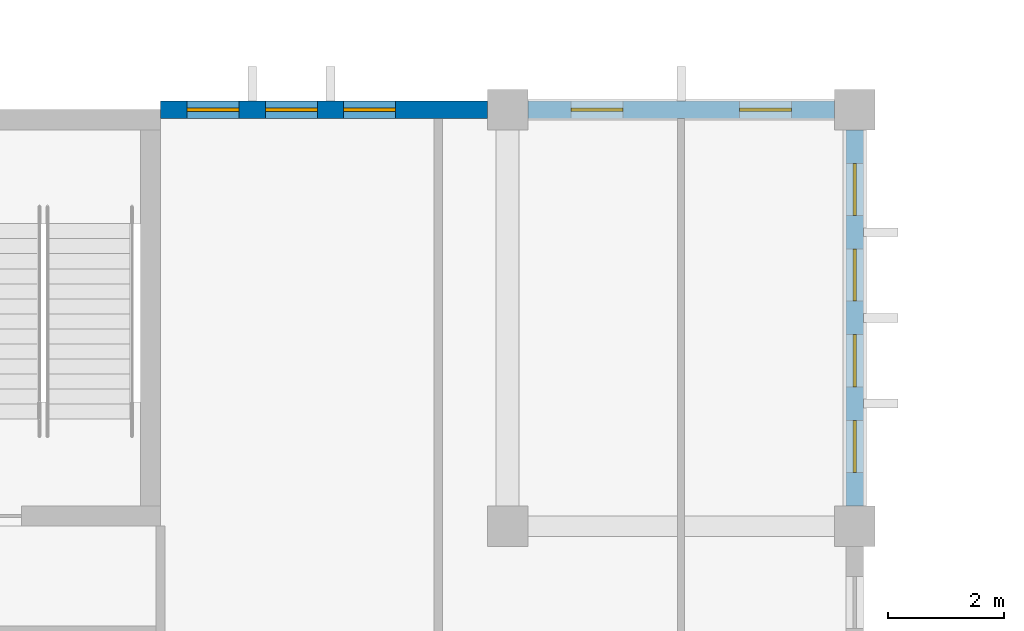
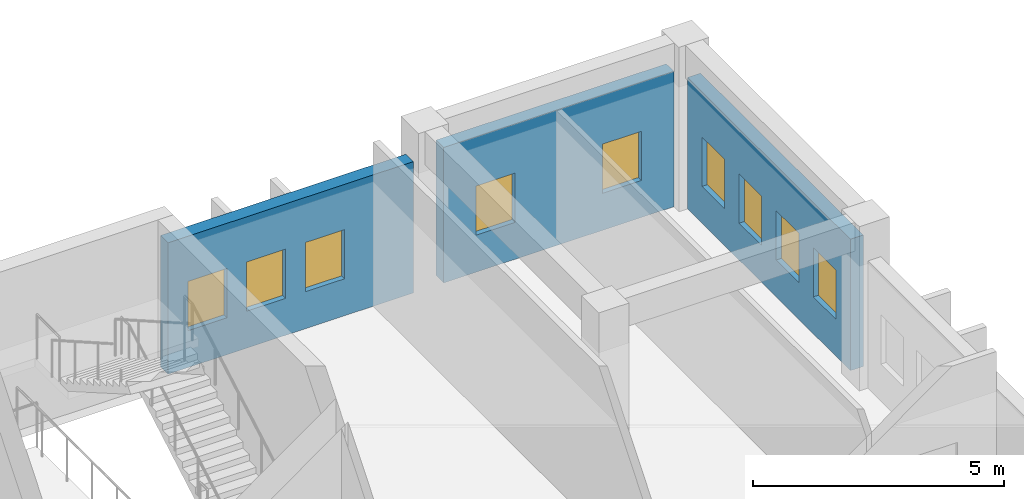
# One storey, part 67 of 92: 9 windows, 3 walls, 9 openings.
"""IFC4 building model written with IfcOpenShell, lengths in metres."""

from ifc_helpers import new_model, si_unit, direction, frame, frame_2d, origin, place, context, subcontext, project, spatial, rectangle, extrude, material, layer, layer_set, type_object, element, fill, save


model = new_model("IFC4")

# Units and contexts
model_context = context("Model", 3, precision=1e-05, world=origin(), true_north=direction((0.0, 1.0)))
body_context = subcontext(model_context, "Body", "Model", "MODEL_VIEW")
ifc_project = project(units=[si_unit("LENGTHUNIT", "METRE"), si_unit("AREAUNIT", "SQUARE_METRE"), si_unit("VOLUMEUNIT", "CUBIC_METRE"), si_unit("PLANEANGLEUNIT", "RADIAN"), si_unit("MASSUNIT", "GRAM", prefix="KILO")], contexts=[model_context])

# Site, building, storey
site_placement = place(None, origin())
site = spatial("IfcSite", under=ifc_project, at=site_placement, CompositionType="ELEMENT")
building_placement = place(site_placement, origin())
building = spatial("IfcBuilding", under=site, at=building_placement, Name="Laocheng Heights Fire and Rescue Headquarters", CompositionType="ELEMENT")
storey_placement = place(building_placement, frame((0.0, 0.0, 12.60009765625)))
storey = spatial("IfcBuildingStorey", under=building, at=storey_placement, Name="L03", CompositionType="ELEMENT", Elevation=12.60009765625)

# Wall, openings, windows
ifc_material_1 = material(Name="Precast concrete C40/50", Category="concrete")
ifc_layer = layer(ifc_material_1, 0.300048828125)
ifc_layer_set = layer_set([ifc_layer], Name="Precast concrete C40/50")
wall_type = type_object("IfcWallType", Name="PRECAST WALL PANEL CREW 300", PredefinedType="SOLIDWALL", material=ifc_layer_set)
wall_1_placement = place(storey_placement, frame((108.0, 50.75, 0.0), z_axis=(0.0, 0.0, 1.0), x_axis=(0.0, 1.0, 0.0)))
wall_1 = element("IfcWall", 1, at=wall_1_placement, inside=storey, type_object=wall_type, Name="PRECAST WALL PANEL CREW CREW EAST L03", PredefinedType="SOLIDWALL", context=body_context, shape_type="SweptSolid", body=[
    extrude(rectangle(XDim=6.5, YDim=0.300048828125, at=frame_2d((3.25, 0.0))), origin(), (0.0, 0.0, 1.0), 3.199951171875),
])
opening_1_placement = place(wall_1_placement, frame((0.580078125, 0.0, 0.89990234375)))
opening_1 = element("IfcOpeningElement", 2, at=opening_1_placement, cuts=wall_1, Name="Opening N2-W", PredefinedType="OPENING", context=body_context, shape_type="SweptSolid", body=[
    extrude(rectangle(XDim=0.89990234375, YDim=1.199951171875, at=frame_2d((0.449951171875, 0.60009765625))), frame((0.0, 0.159912109375, 0.0), z_axis=(0.0, -1.0, 0.0), x_axis=(1.0, 0.0, 0.0)), (0.0, 0.0, 1.0), 0.320068359375),
])
opening_2_placement = place(wall_1_placement, frame((2.06005859375, 0.0, 0.89990234375)))
opening_2 = element("IfcOpeningElement", 3, at=opening_2_placement, cuts=wall_1, Name="Opening N2-W", PredefinedType="OPENING", context=body_context, shape_type="SweptSolid", body=[
    extrude(rectangle(XDim=0.89990234375, YDim=1.199951171875, at=frame_2d((0.449951171875, 0.60009765625))), frame((0.0, 0.159912109375, 0.0), z_axis=(0.0, -1.0, 0.0), x_axis=(1.0, 0.0, 0.0)), (0.0, 0.0, 1.0), 0.320068359375),
])
opening_3_placement = place(wall_1_placement, frame((3.5400390625, 0.0, 0.89990234375)))
opening_3 = element("IfcOpeningElement", 4, at=opening_3_placement, cuts=wall_1, Name="Opening N2-W", PredefinedType="OPENING", context=body_context, shape_type="SweptSolid", body=[
    extrude(rectangle(XDim=0.89990234375, YDim=1.199951171875, at=frame_2d((0.449951171875, 0.60009765625))), frame((0.0, 0.159912109375, 0.0), z_axis=(0.0, -1.0, 0.0), x_axis=(1.0, 0.0, 0.0)), (0.0, 0.0, 1.0), 0.320068359375),
])
opening_4_placement = place(wall_1_placement, frame((5.02001953125, 0.0, 0.89990234375)))
opening_4 = element("IfcOpeningElement", 5, at=opening_4_placement, cuts=wall_1, Name="Opening N2-W", PredefinedType="OPENING", context=body_context, shape_type="SweptSolid", body=[
    extrude(rectangle(XDim=0.89990234375, YDim=1.199951171875, at=frame_2d((0.449951171875, 0.60009765625))), frame((0.0, 0.159912109375, 0.0), z_axis=(0.0, -1.0, 0.0), x_axis=(1.0, 0.0, 0.0)), (0.0, 0.0, 1.0), 0.320068359375),
])
ifc_material_2 = material(Name="Low-e double glazing in aluminium frame", Category="aluminium")
window_type = type_object("IfcWindowType", Name="WINDOW 900 x 1200 CREW DORMITORY", PartitioningType="SINGLE_PANEL", PredefinedType="WINDOW", material=ifc_material_2)
window_1_placement = place(opening_1_placement, origin())
window_1 = element("IfcWindow", 6, at=window_1_placement, inside=storey, type_object=window_type, Name="CREW DORMITORY CREW EAST L03", OverallHeight=1.199951171875, OverallWidth=0.89990234375, PartitioningType="SINGLE_PANEL", PredefinedType="WINDOW", context=body_context, shape_type="SweptSolid", body=[
    extrude(rectangle(XDim=0.89990234375, YDim=1.199951171875, at=frame_2d((0.449951171875, 0.60009765625))), frame((0.0, 0.030029296875, 0.0), z_axis=(0.0, -1.0, 0.0), x_axis=(1.0, 0.0, 0.0)), (0.0, 0.0, 1.0), 0.06005859375),
])
fill(opening_1, window_1)
window_2_placement = place(opening_2_placement, origin())
window_2 = element("IfcWindow", 7, at=window_2_placement, inside=storey, type_object=window_type, Name="CREW DORMITORY CREW EAST L03", OverallHeight=1.199951171875, OverallWidth=0.89990234375, PartitioningType="SINGLE_PANEL", PredefinedType="WINDOW", context=body_context, shape_type="SweptSolid", body=[
    extrude(rectangle(XDim=0.89990234375, YDim=1.199951171875, at=frame_2d((0.449951171875, 0.60009765625))), frame((0.0, 0.030029296875, 0.0), z_axis=(0.0, -1.0, 0.0), x_axis=(1.0, 0.0, 0.0)), (0.0, 0.0, 1.0), 0.06005859375),
])
fill(opening_2, window_2)
window_3_placement = place(opening_3_placement, origin())
window_3 = element("IfcWindow", 8, at=window_3_placement, inside=storey, type_object=window_type, Name="CREW DORMITORY CREW EAST L03", OverallHeight=1.199951171875, OverallWidth=0.89990234375, PartitioningType="SINGLE_PANEL", PredefinedType="WINDOW", context=body_context, shape_type="SweptSolid", body=[
    extrude(rectangle(XDim=0.89990234375, YDim=1.199951171875, at=frame_2d((0.449951171875, 0.60009765625))), frame((0.0, 0.030029296875, 0.0), z_axis=(0.0, -1.0, 0.0), x_axis=(1.0, 0.0, 0.0)), (0.0, 0.0, 1.0), 0.06005859375),
])
fill(opening_3, window_3)
window_4_placement = place(opening_4_placement, origin())
window_4 = element("IfcWindow", 9, at=window_4_placement, inside=storey, type_object=window_type, Name="CREW DORMITORY CREW EAST L03", OverallHeight=1.199951171875, OverallWidth=0.89990234375, PartitioningType="SINGLE_PANEL", PredefinedType="WINDOW", context=body_context, shape_type="SweptSolid", body=[
    extrude(rectangle(XDim=0.89990234375, YDim=1.199951171875, at=frame_2d((0.449951171875, 0.60009765625))), frame((0.0, 0.030029296875, 0.0), z_axis=(0.0, -1.0, 0.0), x_axis=(1.0, 0.0, 0.0)), (0.0, 0.0, 1.0), 0.06005859375),
])
fill(opening_4, window_4)

wall_2_placement = place(storey_placement, frame((96.0, 57.60009765625, 0.0), z_axis=(0.0, 0.0, 1.0), x_axis=(1.0, 0.0, 0.0)))
wall_2 = element("IfcWall", 10, at=wall_2_placement, inside=storey, type_object=wall_type, Name="PRECAST WALL PANEL CREW CREW NORTH L03", PredefinedType="SOLIDWALL", context=body_context, shape_type="SweptSolid", body=[
    extrude(rectangle(XDim=5.64990234375, YDim=0.300048828125, at=frame_2d((2.824951171875, 0.0))), origin(), (0.0, 0.0, 1.0), 3.199951171875),
])
opening_5_placement = place(wall_2_placement, frame((0.455078125, 0.0, 0.89990234375)))
opening_5 = element("IfcOpeningElement", 11, at=opening_5_placement, cuts=wall_2, Name="Opening N2-W", PredefinedType="OPENING", context=body_context, shape_type="SweptSolid", body=[
    extrude(rectangle(XDim=0.89990234375, YDim=1.199951171875, at=frame_2d((0.449951171875, 0.60009765625))), frame((0.0, 0.159912109375, 0.0), z_axis=(0.0, -1.0, 0.0), x_axis=(1.0, 0.0, 0.0)), (0.0, 0.0, 1.0), 0.320068359375),
])
opening_6_placement = place(wall_2_placement, frame((1.81005859375, 0.0, 0.89990234375)))
opening_6 = element("IfcOpeningElement", 12, at=opening_6_placement, cuts=wall_2, Name="Opening N2-W", PredefinedType="OPENING", context=body_context, shape_type="SweptSolid", body=[
    extrude(rectangle(XDim=0.89990234375, YDim=1.199951171875, at=frame_2d((0.449951171875, 0.60009765625))), frame((0.0, 0.159912109375, 0.0), z_axis=(0.0, -1.0, 0.0), x_axis=(1.0, 0.0, 0.0)), (0.0, 0.0, 1.0), 0.320068359375),
])
opening_7_placement = place(wall_2_placement, frame((3.1650390625, 0.0, 0.89990234375)))
opening_7 = element("IfcOpeningElement", 13, at=opening_7_placement, cuts=wall_2, Name="Opening N2-W", PredefinedType="OPENING", context=body_context, shape_type="SweptSolid", body=[
    extrude(rectangle(XDim=0.89990234375, YDim=1.199951171875, at=frame_2d((0.449951171875, 0.60009765625))), frame((0.0, 0.159912109375, 0.0), z_axis=(0.0, -1.0, 0.0), x_axis=(1.0, 0.0, 0.0)), (0.0, 0.0, 1.0), 0.320068359375),
])
window_5_placement = place(opening_5_placement, origin())
window_5 = element("IfcWindow", 14, at=window_5_placement, inside=storey, type_object=window_type, Name="CREW DORMITORY CREW NORTH L03", OverallHeight=1.199951171875, OverallWidth=0.89990234375, PartitioningType="SINGLE_PANEL", PredefinedType="WINDOW", context=body_context, shape_type="SweptSolid", body=[
    extrude(rectangle(XDim=0.89990234375, YDim=1.199951171875, at=frame_2d((0.449951171875, 0.60009765625))), frame((0.0, 0.030029296875, 0.0), z_axis=(0.0, -1.0, 0.0), x_axis=(1.0, 0.0, 0.0)), (0.0, 0.0, 1.0), 0.06005859375),
])
fill(opening_5, window_5)
window_6_placement = place(opening_6_placement, origin())
window_6 = element("IfcWindow", 15, at=window_6_placement, inside=storey, type_object=window_type, Name="CREW DORMITORY CREW NORTH L03", OverallHeight=1.199951171875, OverallWidth=0.89990234375, PartitioningType="SINGLE_PANEL", PredefinedType="WINDOW", context=body_context, shape_type="SweptSolid", body=[
    extrude(rectangle(XDim=0.89990234375, YDim=1.199951171875, at=frame_2d((0.449951171875, 0.60009765625))), frame((0.0, 0.030029296875, 0.0), z_axis=(0.0, -1.0, 0.0), x_axis=(1.0, 0.0, 0.0)), (0.0, 0.0, 1.0), 0.06005859375),
])
fill(opening_6, window_6)
window_7_placement = place(opening_7_placement, origin())
window_7 = element("IfcWindow", 16, at=window_7_placement, inside=storey, type_object=window_type, Name="CREW DORMITORY CREW NORTH L03", OverallHeight=1.199951171875, OverallWidth=0.89990234375, PartitioningType="SINGLE_PANEL", PredefinedType="WINDOW", context=body_context, shape_type="SweptSolid", body=[
    extrude(rectangle(XDim=0.89990234375, YDim=1.199951171875, at=frame_2d((0.449951171875, 0.60009765625))), frame((0.0, 0.030029296875, 0.0), z_axis=(0.0, -1.0, 0.0), x_axis=(1.0, 0.0, 0.0)), (0.0, 0.0, 1.0), 0.06005859375),
])
fill(opening_7, window_7)

wall_3_placement = place(storey_placement, frame((102.35009765625, 57.60009765625, 0.0), z_axis=(0.0, 0.0, 1.0), x_axis=(1.0, 0.0, 0.0)))
wall_3 = element("IfcWall", 17, at=wall_3_placement, inside=storey, type_object=wall_type, Name="PRECAST WALL PANEL CREW CREW NORTH L03", PredefinedType="SOLIDWALL", context=body_context, shape_type="SweptSolid", body=[
    extrude(rectangle(XDim=5.2998046875, YDim=0.300048828125, at=frame_2d((2.64990234375, 0.0))), origin(), (0.0, 0.0, 1.0), 3.2998046875),
])
opening_8_placement = place(wall_3_placement, frame((0.7451171875, 0.0, 0.89990234375)))
opening_8 = element("IfcOpeningElement", 18, at=opening_8_placement, cuts=wall_3, Name="Opening N2-W", PredefinedType="OPENING", context=body_context, shape_type="SweptSolid", body=[
    extrude(rectangle(XDim=0.89990234375, YDim=1.199951171875, at=frame_2d((0.449951171875, 0.60009765625))), frame((0.0, 0.159912109375, 0.0), z_axis=(0.0, -1.0, 0.0), x_axis=(1.0, 0.0, 0.0)), (0.0, 0.0, 1.0), 0.320068359375),
])
opening_9_placement = place(wall_3_placement, frame((3.655029296875, 0.0, 0.89990234375)))
opening_9 = element("IfcOpeningElement", 19, at=opening_9_placement, cuts=wall_3, Name="Opening N2-W", PredefinedType="OPENING", context=body_context, shape_type="SweptSolid", body=[
    extrude(rectangle(XDim=0.89990234375, YDim=1.199951171875, at=frame_2d((0.449951171875, 0.60009765625))), frame((0.0, 0.159912109375, 0.0), z_axis=(0.0, -1.0, 0.0), x_axis=(1.0, 0.0, 0.0)), (0.0, 0.0, 1.0), 0.320068359375),
])
window_8_placement = place(opening_8_placement, origin())
window_8 = element("IfcWindow", 20, at=window_8_placement, inside=storey, type_object=window_type, Name="CREW DORMITORY CREW NORTH L03", OverallHeight=1.199951171875, OverallWidth=0.89990234375, PartitioningType="SINGLE_PANEL", PredefinedType="WINDOW", context=body_context, shape_type="SweptSolid", body=[
    extrude(rectangle(XDim=0.89990234375, YDim=1.199951171875, at=frame_2d((0.449951171875, 0.60009765625))), frame((0.0, 0.030029296875, 0.0), z_axis=(0.0, -1.0, 0.0), x_axis=(1.0, 0.0, 0.0)), (0.0, 0.0, 1.0), 0.06005859375),
])
fill(opening_8, window_8)
window_9_placement = place(opening_9_placement, origin())
window_9 = element("IfcWindow", 21, at=window_9_placement, inside=storey, type_object=window_type, Name="CREW DORMITORY CREW NORTH L03", OverallHeight=1.199951171875, OverallWidth=0.89990234375, PartitioningType="SINGLE_PANEL", PredefinedType="WINDOW", context=body_context, shape_type="SweptSolid", body=[
    extrude(rectangle(XDim=0.89990234375, YDim=1.199951171875, at=frame_2d((0.449951171875, 0.60009765625))), frame((0.0, 0.030029296875, 0.0), z_axis=(0.0, -1.0, 0.0), x_axis=(1.0, 0.0, 0.0)), (0.0, 0.0, 1.0), 0.06005859375),
])
fill(opening_9, window_9)

save(model, "model.ifc")
